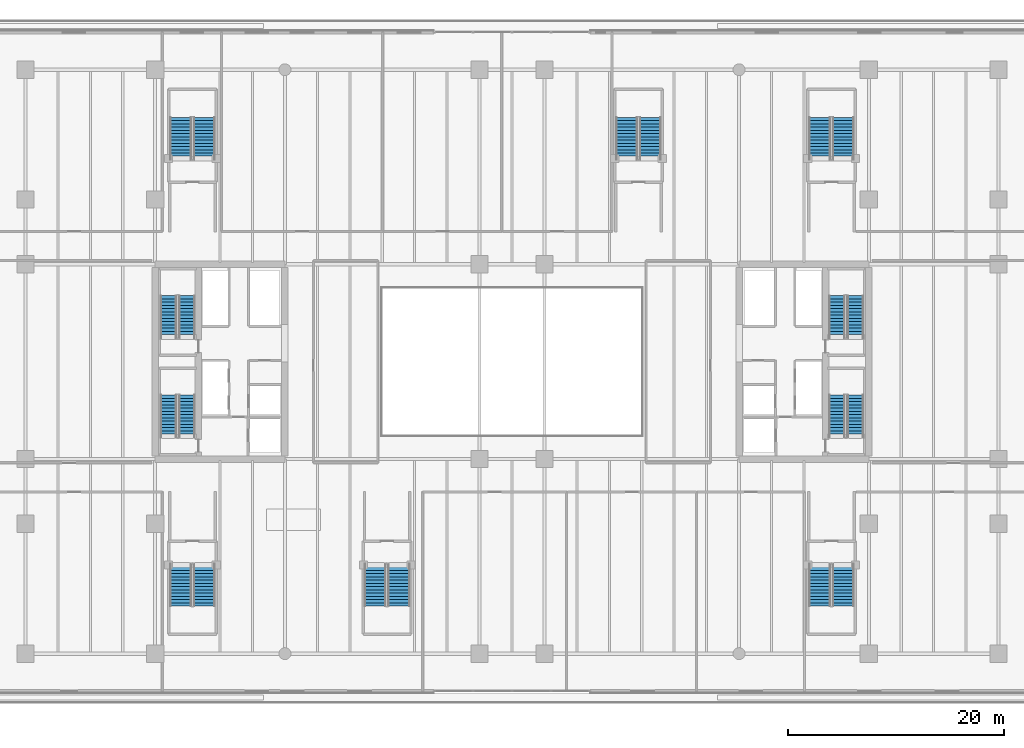
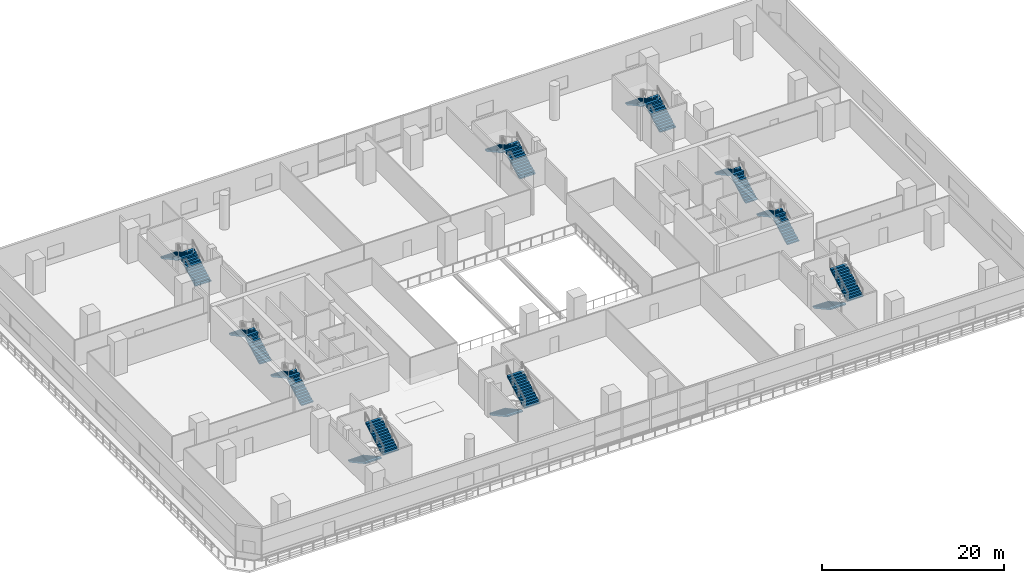
# One storey, part 14 of 27: 20 stair flights, 10 elements without a shape of their own.
"""IFC4 building model written with IfcOpenShell, lengths in metres."""

from ifc_helpers import new_model, si_unit, direction, frame, origin, place, context, subcontext, project, spatial, polyline, outline, extrude, material, type_object, element, aggregate, save


model = new_model("IFC4")

# Units and contexts
model_context = context("Model", 3, precision=1e-05, world=origin(), true_north=direction((0.0, 1.0)))
body_context = subcontext(model_context, "Body", "Model", "MODEL_VIEW")
ifc_project = project(units=[si_unit("LENGTHUNIT", "METRE"), si_unit("AREAUNIT", "SQUARE_METRE"), si_unit("VOLUMEUNIT", "CUBIC_METRE"), si_unit("PLANEANGLEUNIT", "RADIAN"), si_unit("MASSUNIT", "GRAM", prefix="KILO")], contexts=[model_context])

# Site, building, storey
site_placement = place(None, origin())
site = spatial("IfcSite", under=ifc_project, at=site_placement, CompositionType="ELEMENT")
building_placement = place(site_placement, origin())
building = spatial("IfcBuilding", under=site, at=building_placement, Name="Tanjung Sevakor Pilgrim Tower", CompositionType="ELEMENT")
storey_placement = place(building_placement, frame((0.0, 0.0, 14.85009765625)))
storey = spatial("IfcBuildingStorey", under=building, at=storey_placement, Name="L04", CompositionType="ELEMENT", Elevation=14.85009765625)

# Stair, stair flights
ifc_material_1 = material(Name="Concrete C40/50", Category="concrete")
stair_type_1 = type_object("IfcStairType", Name="STAIR-ST-CR150", PredefinedType="HALF_TURN_STAIR", material=ifc_material_1)
stair_1_placement = place(storey_placement, origin())
stair_1 = element("IfcStair", 1, at=stair_1_placement, inside=storey, type_object=stair_type_1, Name="L04 West Core Exit Stair 1", PredefinedType="HALF_TURN_STAIR")
ifc_material_2 = material(Name="Concrete C40/50", Category="concrete")
stair_flight_type_1 = type_object("IfcStairFlightType", Name="FLIGHT-ST-CR150", PredefinedType="STRAIGHT", material=ifc_material_2)
stair_flight_1_placement = place(storey_placement, frame((26.949951171875, 26.60009765625, 0.0), z_axis=(0.0, 0.0, 1.0), x_axis=(0.0, 1.0, 0.0)))
stair_flight_1 = element("IfcStairFlight", 2, at=stair_flight_1_placement, type_object=stair_flight_type_1, Name="TS-W1 flight 1", NumberOfRisers=14, NumberOfTreads=13, PredefinedType="STRAIGHT", RiserHeight=0.165, TreadLength=0.3, context=body_context, shape_type="SweptSolid", body=[
    extrude(outline(polyline([(0.0, 0.0), (0.0, 0.1650390625), (0.300048828125, 0.1650390625), (0.300048828125, 0.330078125), (0.60009765625, 0.330078125), (0.60009765625, 0.4951171875), (0.89990234375, 0.4951171875), (0.89990234375, 0.659912109375), (1.199951171875, 0.659912109375), (1.199951171875, 0.824951171875), (1.5, 0.824951171875), (1.5, 0.989990234375), (1.800048828125, 0.989990234375), (1.800048828125, 1.155029296875), (2.10009765625, 1.155029296875), (2.10009765625, 1.320068359375), (2.39990234375, 1.320068359375), (2.39990234375, 1.485107421875), (2.699951171875, 1.485107421875), (2.699951171875, 1.64990234375), (3.0, 1.64990234375), (3.0, 1.81494140625), (3.300048828125, 1.81494140625), (3.300048828125, 1.97998046875), (3.60009765625, 1.97998046875), (3.60009765625, 2.14501953125), (3.89990234375, 2.14501953125), (3.89990234375, 2.31005859375), (3.89990234375, 1.96240234375), (0.331787109375, 0.0), (0.0, 0.0)])), frame((0.0, 0.75, 0.0), z_axis=(0.0, -1.0, 0.0), x_axis=(1.0, 0.0, 0.0)), (0.0, 0.0, 1.0), 1.5),
])
stair_flight_2_placement = place(storey_placement, frame((25.25, 30.5, 2.309814453125), z_axis=(0.0, 0.0, 1.0), x_axis=(0.0, -1.0, 0.0)))
stair_flight_2 = element("IfcStairFlight", 3, at=stair_flight_2_placement, type_object=stair_flight_type_1, Name="TS-W1 flight 2", NumberOfRisers=14, NumberOfTreads=13, PredefinedType="STRAIGHT", RiserHeight=0.165, TreadLength=0.3, context=body_context, shape_type="SweptSolid", body=[
    extrude(outline(polyline([(0.0, 0.0), (0.0, 0.1650390625), (0.300048828125, 0.1650390625), (0.300048828125, 0.330078125), (0.60009765625, 0.330078125), (0.60009765625, 0.4951171875), (0.89990234375, 0.4951171875), (0.89990234375, 0.659912109375), (1.199951171875, 0.659912109375), (1.199951171875, 0.824951171875), (1.5, 0.824951171875), (1.5, 0.989990234375), (1.800048828125, 0.989990234375), (1.800048828125, 1.155029296875), (2.10009765625, 1.155029296875), (2.10009765625, 1.320068359375), (2.39990234375, 1.320068359375), (2.39990234375, 1.485107421875), (2.699951171875, 1.485107421875), (2.699951171875, 1.64990234375), (3.0, 1.64990234375), (3.0, 1.81494140625), (3.300048828125, 1.81494140625), (3.300048828125, 1.97998046875), (3.60009765625, 1.97998046875), (3.60009765625, 2.14501953125), (3.89990234375, 2.14501953125), (3.89990234375, 2.31005859375), (3.89990234375, 1.96240234375), (0.331787109375, 0.0), (0.0, 0.0)])), frame((0.0, 0.75, 0.0), z_axis=(0.0, -1.0, 0.0), x_axis=(1.0, 0.0, 0.0)), (0.0, 0.0, 1.0), 1.5),
])
aggregate(stair_1, [stair_flight_1, stair_flight_2])

stair_2_placement = place(storey_placement, origin())
stair_2 = element("IfcStair", 4, at=stair_2_placement, inside=storey, type_object=stair_type_1, Name="L04 West Core Exit Stair 2", PredefinedType="HALF_TURN_STAIR")
stair_flight_3_placement = place(storey_placement, frame((26.949951171875, 35.800048828125, 0.0), z_axis=(0.0, 0.0, 1.0), x_axis=(0.0, 1.0, 0.0)))
stair_flight_3 = element("IfcStairFlight", 5, at=stair_flight_3_placement, type_object=stair_flight_type_1, Name="TS-W2 flight 1", NumberOfRisers=14, NumberOfTreads=13, PredefinedType="STRAIGHT", RiserHeight=0.165, TreadLength=0.3, context=body_context, shape_type="SweptSolid", body=[
    extrude(outline(polyline([(0.0, 0.0), (0.0, 0.1650390625), (0.300048828125, 0.1650390625), (0.300048828125, 0.330078125), (0.60009765625, 0.330078125), (0.60009765625, 0.4951171875), (0.89990234375, 0.4951171875), (0.89990234375, 0.659912109375), (1.199951171875, 0.659912109375), (1.199951171875, 0.824951171875), (1.5, 0.824951171875), (1.5, 0.989990234375), (1.800048828125, 0.989990234375), (1.800048828125, 1.155029296875), (2.10009765625, 1.155029296875), (2.10009765625, 1.320068359375), (2.39990234375, 1.320068359375), (2.39990234375, 1.485107421875), (2.699951171875, 1.485107421875), (2.699951171875, 1.64990234375), (3.0, 1.64990234375), (3.0, 1.81494140625), (3.300048828125, 1.81494140625), (3.300048828125, 1.97998046875), (3.60009765625, 1.97998046875), (3.60009765625, 2.14501953125), (3.89990234375, 2.14501953125), (3.89990234375, 2.31005859375), (3.89990234375, 1.96240234375), (0.331787109375, 0.0), (0.0, 0.0)])), frame((0.0, 0.75, 0.0), z_axis=(0.0, -1.0, 0.0), x_axis=(1.0, 0.0, 0.0)), (0.0, 0.0, 1.0), 1.5),
])
stair_flight_4_placement = place(storey_placement, frame((25.25, 39.699951171875, 2.309814453125), z_axis=(0.0, 0.0, 1.0), x_axis=(0.0, -1.0, 0.0)))
stair_flight_4 = element("IfcStairFlight", 6, at=stair_flight_4_placement, type_object=stair_flight_type_1, Name="TS-W2 flight 2", NumberOfRisers=14, NumberOfTreads=13, PredefinedType="STRAIGHT", RiserHeight=0.165, TreadLength=0.3, context=body_context, shape_type="SweptSolid", body=[
    extrude(outline(polyline([(0.0, 0.0), (0.0, 0.1650390625), (0.300048828125, 0.1650390625), (0.300048828125, 0.330078125), (0.60009765625, 0.330078125), (0.60009765625, 0.4951171875), (0.89990234375, 0.4951171875), (0.89990234375, 0.659912109375), (1.199951171875, 0.659912109375), (1.199951171875, 0.824951171875), (1.5, 0.824951171875), (1.5, 0.989990234375), (1.800048828125, 0.989990234375), (1.800048828125, 1.155029296875), (2.10009765625, 1.155029296875), (2.10009765625, 1.320068359375), (2.39990234375, 1.320068359375), (2.39990234375, 1.485107421875), (2.699951171875, 1.485107421875), (2.699951171875, 1.64990234375), (3.0, 1.64990234375), (3.0, 1.81494140625), (3.300048828125, 1.81494140625), (3.300048828125, 1.97998046875), (3.60009765625, 1.97998046875), (3.60009765625, 2.14501953125), (3.89990234375, 2.14501953125), (3.89990234375, 2.31005859375), (3.89990234375, 1.96240234375), (0.331787109375, 0.0), (0.0, 0.0)])), frame((0.0, 0.75, 0.0), z_axis=(0.0, -1.0, 0.0), x_axis=(1.0, 0.0, 0.0)), (0.0, 0.0, 1.0), 1.5),
])
aggregate(stair_2, [stair_flight_3, stair_flight_4])

stair_3_placement = place(storey_placement, origin())
stair_3 = element("IfcStair", 7, at=stair_3_placement, inside=storey, type_object=stair_type_1, Name="L04 East Core Exit Stair 1", PredefinedType="HALF_TURN_STAIR")
stair_flight_5_placement = place(storey_placement, frame((88.75, 26.60009765625, 0.0), z_axis=(0.0, 0.0, 1.0), x_axis=(0.0, 1.0, 0.0)))
stair_flight_5 = element("IfcStairFlight", 8, at=stair_flight_5_placement, type_object=stair_flight_type_1, Name="TS-E1 flight 1", NumberOfRisers=14, NumberOfTreads=13, PredefinedType="STRAIGHT", RiserHeight=0.165, TreadLength=0.3, context=body_context, shape_type="SweptSolid", body=[
    extrude(outline(polyline([(0.0, 0.0), (0.0, 0.1650390625), (0.300048828125, 0.1650390625), (0.300048828125, 0.330078125), (0.60009765625, 0.330078125), (0.60009765625, 0.4951171875), (0.89990234375, 0.4951171875), (0.89990234375, 0.659912109375), (1.199951171875, 0.659912109375), (1.199951171875, 0.824951171875), (1.5, 0.824951171875), (1.5, 0.989990234375), (1.800048828125, 0.989990234375), (1.800048828125, 1.155029296875), (2.10009765625, 1.155029296875), (2.10009765625, 1.320068359375), (2.39990234375, 1.320068359375), (2.39990234375, 1.485107421875), (2.699951171875, 1.485107421875), (2.699951171875, 1.64990234375), (3.0, 1.64990234375), (3.0, 1.81494140625), (3.300048828125, 1.81494140625), (3.300048828125, 1.97998046875), (3.60009765625, 1.97998046875), (3.60009765625, 2.14501953125), (3.89990234375, 2.14501953125), (3.89990234375, 2.31005859375), (3.89990234375, 1.96240234375), (0.331787109375, 0.0), (0.0, 0.0)])), frame((0.0, 0.75, 0.0), z_axis=(0.0, -1.0, 0.0), x_axis=(1.0, 0.0, 0.0)), (0.0, 0.0, 1.0), 1.5),
])
stair_flight_6_placement = place(storey_placement, frame((87.050048828125, 30.5, 2.309814453125), z_axis=(0.0, 0.0, 1.0), x_axis=(0.0, -1.0, 0.0)))
stair_flight_6 = element("IfcStairFlight", 9, at=stair_flight_6_placement, type_object=stair_flight_type_1, Name="TS-E1 flight 2", NumberOfRisers=14, NumberOfTreads=13, PredefinedType="STRAIGHT", RiserHeight=0.165, TreadLength=0.3, context=body_context, shape_type="SweptSolid", body=[
    extrude(outline(polyline([(0.0, 0.0), (0.0, 0.1650390625), (0.300048828125, 0.1650390625), (0.300048828125, 0.330078125), (0.60009765625, 0.330078125), (0.60009765625, 0.4951171875), (0.89990234375, 0.4951171875), (0.89990234375, 0.659912109375), (1.199951171875, 0.659912109375), (1.199951171875, 0.824951171875), (1.5, 0.824951171875), (1.5, 0.989990234375), (1.800048828125, 0.989990234375), (1.800048828125, 1.155029296875), (2.10009765625, 1.155029296875), (2.10009765625, 1.320068359375), (2.39990234375, 1.320068359375), (2.39990234375, 1.485107421875), (2.699951171875, 1.485107421875), (2.699951171875, 1.64990234375), (3.0, 1.64990234375), (3.0, 1.81494140625), (3.300048828125, 1.81494140625), (3.300048828125, 1.97998046875), (3.60009765625, 1.97998046875), (3.60009765625, 2.14501953125), (3.89990234375, 2.14501953125), (3.89990234375, 2.31005859375), (3.89990234375, 1.96240234375), (0.331787109375, 0.0), (0.0, 0.0)])), frame((0.0, 0.75, 0.0), z_axis=(0.0, -1.0, 0.0), x_axis=(1.0, 0.0, 0.0)), (0.0, 0.0, 1.0), 1.5),
])
aggregate(stair_3, [stair_flight_5, stair_flight_6])

stair_4_placement = place(storey_placement, origin())
stair_4 = element("IfcStair", 10, at=stair_4_placement, inside=storey, type_object=stair_type_1, Name="L04 East Core Exit Stair 2", PredefinedType="HALF_TURN_STAIR")
stair_flight_7_placement = place(storey_placement, frame((88.75, 35.800048828125, 0.0), z_axis=(0.0, 0.0, 1.0), x_axis=(0.0, 1.0, 0.0)))
stair_flight_7 = element("IfcStairFlight", 11, at=stair_flight_7_placement, type_object=stair_flight_type_1, Name="TS-E2 flight 1", NumberOfRisers=14, NumberOfTreads=13, PredefinedType="STRAIGHT", RiserHeight=0.165, TreadLength=0.3, context=body_context, shape_type="SweptSolid", body=[
    extrude(outline(polyline([(0.0, 0.0), (0.0, 0.1650390625), (0.300048828125, 0.1650390625), (0.300048828125, 0.330078125), (0.60009765625, 0.330078125), (0.60009765625, 0.4951171875), (0.89990234375, 0.4951171875), (0.89990234375, 0.659912109375), (1.199951171875, 0.659912109375), (1.199951171875, 0.824951171875), (1.5, 0.824951171875), (1.5, 0.989990234375), (1.800048828125, 0.989990234375), (1.800048828125, 1.155029296875), (2.10009765625, 1.155029296875), (2.10009765625, 1.320068359375), (2.39990234375, 1.320068359375), (2.39990234375, 1.485107421875), (2.699951171875, 1.485107421875), (2.699951171875, 1.64990234375), (3.0, 1.64990234375), (3.0, 1.81494140625), (3.300048828125, 1.81494140625), (3.300048828125, 1.97998046875), (3.60009765625, 1.97998046875), (3.60009765625, 2.14501953125), (3.89990234375, 2.14501953125), (3.89990234375, 2.31005859375), (3.89990234375, 1.96240234375), (0.331787109375, 0.0), (0.0, 0.0)])), frame((0.0, 0.75, 0.0), z_axis=(0.0, -1.0, 0.0), x_axis=(1.0, 0.0, 0.0)), (0.0, 0.0, 1.0), 1.5),
])
stair_flight_8_placement = place(storey_placement, frame((87.050048828125, 39.699951171875, 2.309814453125), z_axis=(0.0, 0.0, 1.0), x_axis=(0.0, -1.0, 0.0)))
stair_flight_8 = element("IfcStairFlight", 12, at=stair_flight_8_placement, type_object=stair_flight_type_1, Name="TS-E2 flight 2", NumberOfRisers=14, NumberOfTreads=13, PredefinedType="STRAIGHT", RiserHeight=0.165, TreadLength=0.3, context=body_context, shape_type="SweptSolid", body=[
    extrude(outline(polyline([(0.0, 0.0), (0.0, 0.1650390625), (0.300048828125, 0.1650390625), (0.300048828125, 0.330078125), (0.60009765625, 0.330078125), (0.60009765625, 0.4951171875), (0.89990234375, 0.4951171875), (0.89990234375, 0.659912109375), (1.199951171875, 0.659912109375), (1.199951171875, 0.824951171875), (1.5, 0.824951171875), (1.5, 0.989990234375), (1.800048828125, 0.989990234375), (1.800048828125, 1.155029296875), (2.10009765625, 1.155029296875), (2.10009765625, 1.320068359375), (2.39990234375, 1.320068359375), (2.39990234375, 1.485107421875), (2.699951171875, 1.485107421875), (2.699951171875, 1.64990234375), (3.0, 1.64990234375), (3.0, 1.81494140625), (3.300048828125, 1.81494140625), (3.300048828125, 1.97998046875), (3.60009765625, 1.97998046875), (3.60009765625, 2.14501953125), (3.89990234375, 2.14501953125), (3.89990234375, 2.31005859375), (3.89990234375, 1.96240234375), (0.331787109375, 0.0), (0.0, 0.0)])), frame((0.0, 0.75, 0.0), z_axis=(0.0, -1.0, 0.0), x_axis=(1.0, 0.0, 0.0)), (0.0, 0.0, 1.0), 1.5),
])
aggregate(stair_4, [stair_flight_7, stair_flight_8])

ifc_material_3 = material(Name="Concrete C40/50", Category="concrete")
stair_type_2 = type_object("IfcStairType", Name="STAIR-ST-PD200", PredefinedType="HALF_TURN_STAIR", material=ifc_material_3)
stair_5_placement = place(storey_placement, origin())
stair_5 = element("IfcStair", 13, at=stair_5_placement, inside=storey, type_object=stair_type_2, Name="L04 Podium South-West Assembly Stair", PredefinedType="HALF_TURN_STAIR")
ifc_material_4 = material(Name="Concrete C40/50", Category="concrete")
stair_flight_type_2 = type_object("IfcStairFlightType", Name="FLIGHT-ST-PD200", PredefinedType="STRAIGHT", material=ifc_material_4)
stair_flight_9_placement = place(storey_placement, frame((26.35009765625, 14.89990234375, 0.0), z_axis=(0.0, 0.0, 1.0), x_axis=(0.0, -1.0, 0.0)))
stair_flight_9 = element("IfcStairFlight", 14, at=stair_flight_9_placement, type_object=stair_flight_type_2, Name="PS-1 flight 1", NumberOfRisers=14, NumberOfTreads=13, PredefinedType="STRAIGHT", RiserHeight=0.165, TreadLength=0.3, context=body_context, shape_type="SweptSolid", body=[
    extrude(outline(polyline([(0.0, 0.0), (0.0, 0.1650390625), (0.300048828125, 0.1650390625), (0.300048828125, 0.330078125), (0.60009765625, 0.330078125), (0.60009765625, 0.4951171875), (0.89990234375, 0.4951171875), (0.89990234375, 0.659912109375), (1.199951171875, 0.659912109375), (1.199951171875, 0.824951171875), (1.5, 0.824951171875), (1.5, 0.989990234375), (1.800048828125, 0.989990234375), (1.800048828125, 1.155029296875), (2.10009765625, 1.155029296875), (2.10009765625, 1.320068359375), (2.39990234375, 1.320068359375), (2.39990234375, 1.485107421875), (2.699951171875, 1.485107421875), (2.699951171875, 1.64990234375), (3.0, 1.64990234375), (3.0, 1.81494140625), (3.300048828125, 1.81494140625), (3.300048828125, 1.97998046875), (3.60009765625, 1.97998046875), (3.60009765625, 2.14501953125), (3.89990234375, 2.14501953125), (3.89990234375, 2.31005859375), (3.89990234375, 1.96240234375), (0.331787109375, 0.0), (0.0, 0.0)])), frame((0.0, 1.0, 0.0), z_axis=(0.0, -1.0, 0.0), x_axis=(1.0, 0.0, 0.0)), (0.0, 0.0, 1.0), 2.0),
])
stair_flight_10_placement = place(storey_placement, frame((28.550048828125, 11.0, 2.309814453125), z_axis=(0.0, 0.0, 1.0), x_axis=(0.0, 1.0, 0.0)))
stair_flight_10 = element("IfcStairFlight", 15, at=stair_flight_10_placement, type_object=stair_flight_type_2, Name="PS-1 flight 2", NumberOfRisers=14, NumberOfTreads=13, PredefinedType="STRAIGHT", RiserHeight=0.165, TreadLength=0.3, context=body_context, shape_type="SweptSolid", body=[
    extrude(outline(polyline([(0.0, 0.0), (0.0, 0.1650390625), (0.300048828125, 0.1650390625), (0.300048828125, 0.330078125), (0.60009765625, 0.330078125), (0.60009765625, 0.4951171875), (0.89990234375, 0.4951171875), (0.89990234375, 0.659912109375), (1.199951171875, 0.659912109375), (1.199951171875, 0.824951171875), (1.5, 0.824951171875), (1.5, 0.989990234375), (1.800048828125, 0.989990234375), (1.800048828125, 1.155029296875), (2.10009765625, 1.155029296875), (2.10009765625, 1.320068359375), (2.39990234375, 1.320068359375), (2.39990234375, 1.485107421875), (2.699951171875, 1.485107421875), (2.699951171875, 1.64990234375), (3.0, 1.64990234375), (3.0, 1.81494140625), (3.300048828125, 1.81494140625), (3.300048828125, 1.97998046875), (3.60009765625, 1.97998046875), (3.60009765625, 2.14501953125), (3.89990234375, 2.14501953125), (3.89990234375, 2.31005859375), (3.89990234375, 1.96240234375), (0.331787109375, 0.0), (0.0, 0.0)])), frame((0.0, 1.0, 0.0), z_axis=(0.0, -1.0, 0.0), x_axis=(1.0, 0.0, 0.0)), (0.0, 0.0, 1.0), 2.0),
])
aggregate(stair_5, [stair_flight_9, stair_flight_10])

stair_6_placement = place(storey_placement, origin())
stair_6 = element("IfcStair", 16, at=stair_6_placement, inside=storey, type_object=stair_type_2, Name="L04 Podium North-West Assembly Stair", PredefinedType="HALF_TURN_STAIR")
stair_flight_11_placement = place(storey_placement, frame((28.550048828125, 52.300048828125, 0.0), z_axis=(0.0, 0.0, 1.0), x_axis=(0.0, 1.0, 0.0)))
stair_flight_11 = element("IfcStairFlight", 17, at=stair_flight_11_placement, type_object=stair_flight_type_2, Name="PS-2 flight 1", NumberOfRisers=14, NumberOfTreads=13, PredefinedType="STRAIGHT", RiserHeight=0.165, TreadLength=0.3, context=body_context, shape_type="SweptSolid", body=[
    extrude(outline(polyline([(0.0, 0.0), (0.0, 0.1650390625), (0.300048828125, 0.1650390625), (0.300048828125, 0.330078125), (0.60009765625, 0.330078125), (0.60009765625, 0.4951171875), (0.89990234375, 0.4951171875), (0.89990234375, 0.659912109375), (1.199951171875, 0.659912109375), (1.199951171875, 0.824951171875), (1.5, 0.824951171875), (1.5, 0.989990234375), (1.800048828125, 0.989990234375), (1.800048828125, 1.155029296875), (2.10009765625, 1.155029296875), (2.10009765625, 1.320068359375), (2.39990234375, 1.320068359375), (2.39990234375, 1.485107421875), (2.699951171875, 1.485107421875), (2.699951171875, 1.64990234375), (3.0, 1.64990234375), (3.0, 1.81494140625), (3.300048828125, 1.81494140625), (3.300048828125, 1.97998046875), (3.60009765625, 1.97998046875), (3.60009765625, 2.14501953125), (3.89990234375, 2.14501953125), (3.89990234375, 2.31005859375), (3.89990234375, 1.96240234375), (0.331787109375, 0.0), (0.0, 0.0)])), frame((0.0, 1.0, 0.0), z_axis=(0.0, -1.0, 0.0), x_axis=(1.0, 0.0, 0.0)), (0.0, 0.0, 1.0), 2.0),
])
stair_flight_12_placement = place(storey_placement, frame((26.35009765625, 56.199951171875, 2.309814453125), z_axis=(0.0, 0.0, 1.0), x_axis=(0.0, -1.0, 0.0)))
stair_flight_12 = element("IfcStairFlight", 18, at=stair_flight_12_placement, type_object=stair_flight_type_2, Name="PS-2 flight 2", NumberOfRisers=14, NumberOfTreads=13, PredefinedType="STRAIGHT", RiserHeight=0.165, TreadLength=0.3, context=body_context, shape_type="SweptSolid", body=[
    extrude(outline(polyline([(0.0, 0.0), (0.0, 0.1650390625), (0.300048828125, 0.1650390625), (0.300048828125, 0.330078125), (0.60009765625, 0.330078125), (0.60009765625, 0.4951171875), (0.89990234375, 0.4951171875), (0.89990234375, 0.659912109375), (1.199951171875, 0.659912109375), (1.199951171875, 0.824951171875), (1.5, 0.824951171875), (1.5, 0.989990234375), (1.800048828125, 0.989990234375), (1.800048828125, 1.155029296875), (2.10009765625, 1.155029296875), (2.10009765625, 1.320068359375), (2.39990234375, 1.320068359375), (2.39990234375, 1.485107421875), (2.699951171875, 1.485107421875), (2.699951171875, 1.64990234375), (3.0, 1.64990234375), (3.0, 1.81494140625), (3.300048828125, 1.81494140625), (3.300048828125, 1.97998046875), (3.60009765625, 1.97998046875), (3.60009765625, 2.14501953125), (3.89990234375, 2.14501953125), (3.89990234375, 2.31005859375), (3.89990234375, 1.96240234375), (0.331787109375, 0.0), (0.0, 0.0)])), frame((0.0, 1.0, 0.0), z_axis=(0.0, -1.0, 0.0), x_axis=(1.0, 0.0, 0.0)), (0.0, 0.0, 1.0), 2.0),
])
aggregate(stair_6, [stair_flight_11, stair_flight_12])

stair_7_placement = place(storey_placement, origin())
stair_7 = element("IfcStair", 19, at=stair_7_placement, inside=storey, type_object=stair_type_2, Name="L04 Podium South-Central Assembly Stair", PredefinedType="HALF_TURN_STAIR")
stair_flight_13_placement = place(storey_placement, frame((44.35009765625, 14.89990234375, 0.0), z_axis=(0.0, 0.0, 1.0), x_axis=(0.0, -1.0, 0.0)))
stair_flight_13 = element("IfcStairFlight", 20, at=stair_flight_13_placement, type_object=stair_flight_type_2, Name="PS-3 flight 1", NumberOfRisers=14, NumberOfTreads=13, PredefinedType="STRAIGHT", RiserHeight=0.165, TreadLength=0.3, context=body_context, shape_type="SweptSolid", body=[
    extrude(outline(polyline([(0.0, 0.0), (0.0, 0.1650390625), (0.300048828125, 0.1650390625), (0.300048828125, 0.330078125), (0.60009765625, 0.330078125), (0.60009765625, 0.4951171875), (0.89990234375, 0.4951171875), (0.89990234375, 0.659912109375), (1.199951171875, 0.659912109375), (1.199951171875, 0.824951171875), (1.5, 0.824951171875), (1.5, 0.989990234375), (1.800048828125, 0.989990234375), (1.800048828125, 1.155029296875), (2.10009765625, 1.155029296875), (2.10009765625, 1.320068359375), (2.39990234375, 1.320068359375), (2.39990234375, 1.485107421875), (2.699951171875, 1.485107421875), (2.699951171875, 1.64990234375), (3.0, 1.64990234375), (3.0, 1.81494140625), (3.300048828125, 1.81494140625), (3.300048828125, 1.97998046875), (3.60009765625, 1.97998046875), (3.60009765625, 2.14501953125), (3.89990234375, 2.14501953125), (3.89990234375, 2.31005859375), (3.89990234375, 1.96240234375), (0.331787109375, 0.0), (0.0, 0.0)])), frame((0.0, 1.0, 0.0), z_axis=(0.0, -1.0, 0.0), x_axis=(1.0, 0.0, 0.0)), (0.0, 0.0, 1.0), 2.0),
])
stair_flight_14_placement = place(storey_placement, frame((46.550048828125, 11.0, 2.309814453125), z_axis=(0.0, 0.0, 1.0), x_axis=(0.0, 1.0, 0.0)))
stair_flight_14 = element("IfcStairFlight", 21, at=stair_flight_14_placement, type_object=stair_flight_type_2, Name="PS-3 flight 2", NumberOfRisers=14, NumberOfTreads=13, PredefinedType="STRAIGHT", RiserHeight=0.165, TreadLength=0.3, context=body_context, shape_type="SweptSolid", body=[
    extrude(outline(polyline([(0.0, 0.0), (0.0, 0.1650390625), (0.300048828125, 0.1650390625), (0.300048828125, 0.330078125), (0.60009765625, 0.330078125), (0.60009765625, 0.4951171875), (0.89990234375, 0.4951171875), (0.89990234375, 0.659912109375), (1.199951171875, 0.659912109375), (1.199951171875, 0.824951171875), (1.5, 0.824951171875), (1.5, 0.989990234375), (1.800048828125, 0.989990234375), (1.800048828125, 1.155029296875), (2.10009765625, 1.155029296875), (2.10009765625, 1.320068359375), (2.39990234375, 1.320068359375), (2.39990234375, 1.485107421875), (2.699951171875, 1.485107421875), (2.699951171875, 1.64990234375), (3.0, 1.64990234375), (3.0, 1.81494140625), (3.300048828125, 1.81494140625), (3.300048828125, 1.97998046875), (3.60009765625, 1.97998046875), (3.60009765625, 2.14501953125), (3.89990234375, 2.14501953125), (3.89990234375, 2.31005859375), (3.89990234375, 1.96240234375), (0.331787109375, 0.0), (0.0, 0.0)])), frame((0.0, 1.0, 0.0), z_axis=(0.0, -1.0, 0.0), x_axis=(1.0, 0.0, 0.0)), (0.0, 0.0, 1.0), 2.0),
])
aggregate(stair_7, [stair_flight_13, stair_flight_14])

stair_8_placement = place(storey_placement, origin())
stair_8 = element("IfcStair", 22, at=stair_8_placement, inside=storey, type_object=stair_type_2, Name="L04 Podium North-Central Assembly Stair", PredefinedType="HALF_TURN_STAIR")
stair_flight_15_placement = place(storey_placement, frame((69.800048828125, 52.300048828125, 0.0), z_axis=(0.0, 0.0, 1.0), x_axis=(0.0, 1.0, 0.0)))
stair_flight_15 = element("IfcStairFlight", 23, at=stair_flight_15_placement, type_object=stair_flight_type_2, Name="PS-4 flight 1", NumberOfRisers=14, NumberOfTreads=13, PredefinedType="STRAIGHT", RiserHeight=0.165, TreadLength=0.3, context=body_context, shape_type="SweptSolid", body=[
    extrude(outline(polyline([(0.0, 0.0), (0.0, 0.1650390625), (0.300048828125, 0.1650390625), (0.300048828125, 0.330078125), (0.60009765625, 0.330078125), (0.60009765625, 0.4951171875), (0.89990234375, 0.4951171875), (0.89990234375, 0.659912109375), (1.199951171875, 0.659912109375), (1.199951171875, 0.824951171875), (1.5, 0.824951171875), (1.5, 0.989990234375), (1.800048828125, 0.989990234375), (1.800048828125, 1.155029296875), (2.10009765625, 1.155029296875), (2.10009765625, 1.320068359375), (2.39990234375, 1.320068359375), (2.39990234375, 1.485107421875), (2.699951171875, 1.485107421875), (2.699951171875, 1.64990234375), (3.0, 1.64990234375), (3.0, 1.81494140625), (3.300048828125, 1.81494140625), (3.300048828125, 1.97998046875), (3.60009765625, 1.97998046875), (3.60009765625, 2.14501953125), (3.89990234375, 2.14501953125), (3.89990234375, 2.31005859375), (3.89990234375, 1.96240234375), (0.331787109375, 0.0), (0.0, 0.0)])), frame((0.0, 1.0, 0.0), z_axis=(0.0, -1.0, 0.0), x_axis=(1.0, 0.0, 0.0)), (0.0, 0.0, 1.0), 2.0),
])
stair_flight_16_placement = place(storey_placement, frame((67.60009765625, 56.199951171875, 2.309814453125), z_axis=(0.0, 0.0, 1.0), x_axis=(0.0, -1.0, 0.0)))
stair_flight_16 = element("IfcStairFlight", 24, at=stair_flight_16_placement, type_object=stair_flight_type_2, Name="PS-4 flight 2", NumberOfRisers=14, NumberOfTreads=13, PredefinedType="STRAIGHT", RiserHeight=0.165, TreadLength=0.3, context=body_context, shape_type="SweptSolid", body=[
    extrude(outline(polyline([(0.0, 0.0), (0.0, 0.1650390625), (0.300048828125, 0.1650390625), (0.300048828125, 0.330078125), (0.60009765625, 0.330078125), (0.60009765625, 0.4951171875), (0.89990234375, 0.4951171875), (0.89990234375, 0.659912109375), (1.199951171875, 0.659912109375), (1.199951171875, 0.824951171875), (1.5, 0.824951171875), (1.5, 0.989990234375), (1.800048828125, 0.989990234375), (1.800048828125, 1.155029296875), (2.10009765625, 1.155029296875), (2.10009765625, 1.320068359375), (2.39990234375, 1.320068359375), (2.39990234375, 1.485107421875), (2.699951171875, 1.485107421875), (2.699951171875, 1.64990234375), (3.0, 1.64990234375), (3.0, 1.81494140625), (3.300048828125, 1.81494140625), (3.300048828125, 1.97998046875), (3.60009765625, 1.97998046875), (3.60009765625, 2.14501953125), (3.89990234375, 2.14501953125), (3.89990234375, 2.31005859375), (3.89990234375, 1.96240234375), (0.331787109375, 0.0), (0.0, 0.0)])), frame((0.0, 1.0, 0.0), z_axis=(0.0, -1.0, 0.0), x_axis=(1.0, 0.0, 0.0)), (0.0, 0.0, 1.0), 2.0),
])
aggregate(stair_8, [stair_flight_15, stair_flight_16])

stair_9_placement = place(storey_placement, origin())
stair_9 = element("IfcStair", 25, at=stair_9_placement, inside=storey, type_object=stair_type_2, Name="L04 Podium South-East Assembly Stair", PredefinedType="HALF_TURN_STAIR")
stair_flight_17_placement = place(storey_placement, frame((85.449951171875, 14.89990234375, 0.0), z_axis=(0.0, 0.0, 1.0), x_axis=(0.0, -1.0, 0.0)))
stair_flight_17 = element("IfcStairFlight", 26, at=stair_flight_17_placement, type_object=stair_flight_type_2, Name="PS-5 flight 1", NumberOfRisers=14, NumberOfTreads=13, PredefinedType="STRAIGHT", RiserHeight=0.165, TreadLength=0.3, context=body_context, shape_type="SweptSolid", body=[
    extrude(outline(polyline([(0.0, 0.0), (0.0, 0.1650390625), (0.300048828125, 0.1650390625), (0.300048828125, 0.330078125), (0.60009765625, 0.330078125), (0.60009765625, 0.4951171875), (0.89990234375, 0.4951171875), (0.89990234375, 0.659912109375), (1.199951171875, 0.659912109375), (1.199951171875, 0.824951171875), (1.5, 0.824951171875), (1.5, 0.989990234375), (1.800048828125, 0.989990234375), (1.800048828125, 1.155029296875), (2.10009765625, 1.155029296875), (2.10009765625, 1.320068359375), (2.39990234375, 1.320068359375), (2.39990234375, 1.485107421875), (2.699951171875, 1.485107421875), (2.699951171875, 1.64990234375), (3.0, 1.64990234375), (3.0, 1.81494140625), (3.300048828125, 1.81494140625), (3.300048828125, 1.97998046875), (3.60009765625, 1.97998046875), (3.60009765625, 2.14501953125), (3.89990234375, 2.14501953125), (3.89990234375, 2.31005859375), (3.89990234375, 1.96240234375), (0.331787109375, 0.0), (0.0, 0.0)])), frame((0.0, 1.0, 0.0), z_axis=(0.0, -1.0, 0.0), x_axis=(1.0, 0.0, 0.0)), (0.0, 0.0, 1.0), 2.0),
])
stair_flight_18_placement = place(storey_placement, frame((87.64990234375, 11.0, 2.309814453125), z_axis=(0.0, 0.0, 1.0), x_axis=(0.0, 1.0, 0.0)))
stair_flight_18 = element("IfcStairFlight", 27, at=stair_flight_18_placement, type_object=stair_flight_type_2, Name="PS-5 flight 2", NumberOfRisers=14, NumberOfTreads=13, PredefinedType="STRAIGHT", RiserHeight=0.165, TreadLength=0.3, context=body_context, shape_type="SweptSolid", body=[
    extrude(outline(polyline([(0.0, 0.0), (0.0, 0.1650390625), (0.300048828125, 0.1650390625), (0.300048828125, 0.330078125), (0.60009765625, 0.330078125), (0.60009765625, 0.4951171875), (0.89990234375, 0.4951171875), (0.89990234375, 0.659912109375), (1.199951171875, 0.659912109375), (1.199951171875, 0.824951171875), (1.5, 0.824951171875), (1.5, 0.989990234375), (1.800048828125, 0.989990234375), (1.800048828125, 1.155029296875), (2.10009765625, 1.155029296875), (2.10009765625, 1.320068359375), (2.39990234375, 1.320068359375), (2.39990234375, 1.485107421875), (2.699951171875, 1.485107421875), (2.699951171875, 1.64990234375), (3.0, 1.64990234375), (3.0, 1.81494140625), (3.300048828125, 1.81494140625), (3.300048828125, 1.97998046875), (3.60009765625, 1.97998046875), (3.60009765625, 2.14501953125), (3.89990234375, 2.14501953125), (3.89990234375, 2.31005859375), (3.89990234375, 1.96240234375), (0.331787109375, 0.0), (0.0, 0.0)])), frame((0.0, 1.0, 0.0), z_axis=(0.0, -1.0, 0.0), x_axis=(1.0, 0.0, 0.0)), (0.0, 0.0, 1.0), 2.0),
])
aggregate(stair_9, [stair_flight_17, stair_flight_18])

stair_10_placement = place(storey_placement, origin())
stair_10 = element("IfcStair", 28, at=stair_10_placement, inside=storey, type_object=stair_type_2, Name="L04 Podium North-East Assembly Stair", PredefinedType="HALF_TURN_STAIR")
stair_flight_19_placement = place(storey_placement, frame((87.64990234375, 52.300048828125, 0.0), z_axis=(0.0, 0.0, 1.0), x_axis=(0.0, 1.0, 0.0)))
stair_flight_19 = element("IfcStairFlight", 29, at=stair_flight_19_placement, type_object=stair_flight_type_2, Name="PS-6 flight 1", NumberOfRisers=14, NumberOfTreads=13, PredefinedType="STRAIGHT", RiserHeight=0.165, TreadLength=0.3, context=body_context, shape_type="SweptSolid", body=[
    extrude(outline(polyline([(0.0, 0.0), (0.0, 0.1650390625), (0.300048828125, 0.1650390625), (0.300048828125, 0.330078125), (0.60009765625, 0.330078125), (0.60009765625, 0.4951171875), (0.89990234375, 0.4951171875), (0.89990234375, 0.659912109375), (1.199951171875, 0.659912109375), (1.199951171875, 0.824951171875), (1.5, 0.824951171875), (1.5, 0.989990234375), (1.800048828125, 0.989990234375), (1.800048828125, 1.155029296875), (2.10009765625, 1.155029296875), (2.10009765625, 1.320068359375), (2.39990234375, 1.320068359375), (2.39990234375, 1.485107421875), (2.699951171875, 1.485107421875), (2.699951171875, 1.64990234375), (3.0, 1.64990234375), (3.0, 1.81494140625), (3.300048828125, 1.81494140625), (3.300048828125, 1.97998046875), (3.60009765625, 1.97998046875), (3.60009765625, 2.14501953125), (3.89990234375, 2.14501953125), (3.89990234375, 2.31005859375), (3.89990234375, 1.96240234375), (0.331787109375, 0.0), (0.0, 0.0)])), frame((0.0, 1.0, 0.0), z_axis=(0.0, -1.0, 0.0), x_axis=(1.0, 0.0, 0.0)), (0.0, 0.0, 1.0), 2.0),
])
stair_flight_20_placement = place(storey_placement, frame((85.449951171875, 56.199951171875, 2.309814453125), z_axis=(0.0, 0.0, 1.0), x_axis=(0.0, -1.0, 0.0)))
stair_flight_20 = element("IfcStairFlight", 30, at=stair_flight_20_placement, type_object=stair_flight_type_2, Name="PS-6 flight 2", NumberOfRisers=14, NumberOfTreads=13, PredefinedType="STRAIGHT", RiserHeight=0.165, TreadLength=0.3, context=body_context, shape_type="SweptSolid", body=[
    extrude(outline(polyline([(0.0, 0.0), (0.0, 0.1650390625), (0.300048828125, 0.1650390625), (0.300048828125, 0.330078125), (0.60009765625, 0.330078125), (0.60009765625, 0.4951171875), (0.89990234375, 0.4951171875), (0.89990234375, 0.659912109375), (1.199951171875, 0.659912109375), (1.199951171875, 0.824951171875), (1.5, 0.824951171875), (1.5, 0.989990234375), (1.800048828125, 0.989990234375), (1.800048828125, 1.155029296875), (2.10009765625, 1.155029296875), (2.10009765625, 1.320068359375), (2.39990234375, 1.320068359375), (2.39990234375, 1.485107421875), (2.699951171875, 1.485107421875), (2.699951171875, 1.64990234375), (3.0, 1.64990234375), (3.0, 1.81494140625), (3.300048828125, 1.81494140625), (3.300048828125, 1.97998046875), (3.60009765625, 1.97998046875), (3.60009765625, 2.14501953125), (3.89990234375, 2.14501953125), (3.89990234375, 2.31005859375), (3.89990234375, 1.96240234375), (0.331787109375, 0.0), (0.0, 0.0)])), frame((0.0, 1.0, 0.0), z_axis=(0.0, -1.0, 0.0), x_axis=(1.0, 0.0, 0.0)), (0.0, 0.0, 1.0), 2.0),
])
aggregate(stair_10, [stair_flight_19, stair_flight_20])

save(model, "model.ifc")
